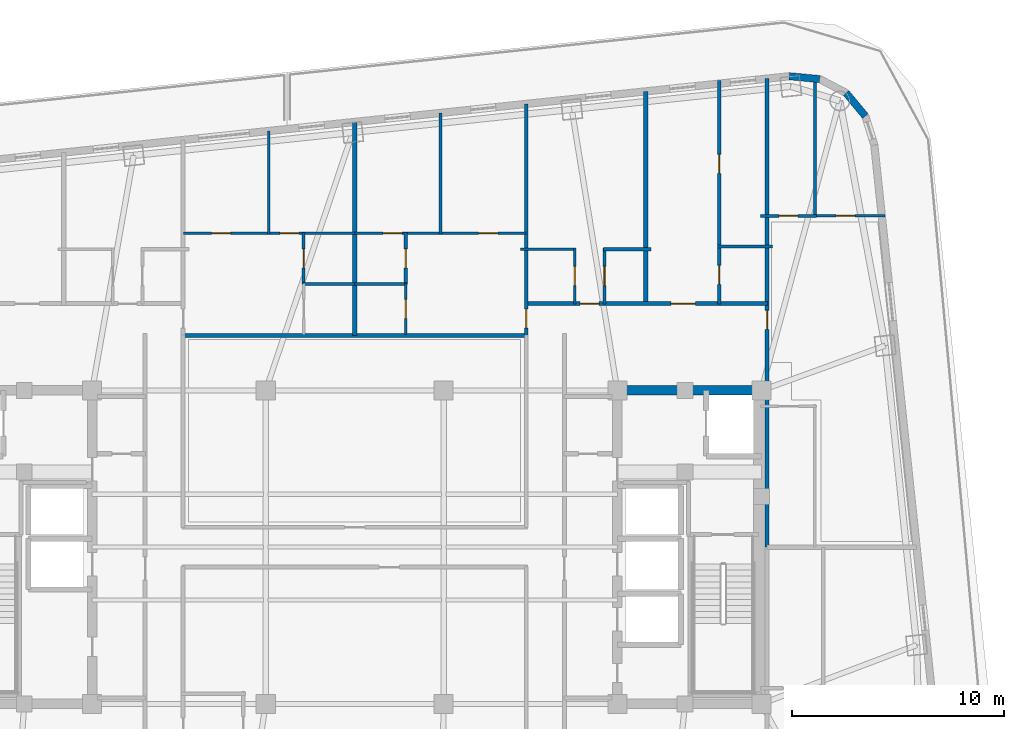
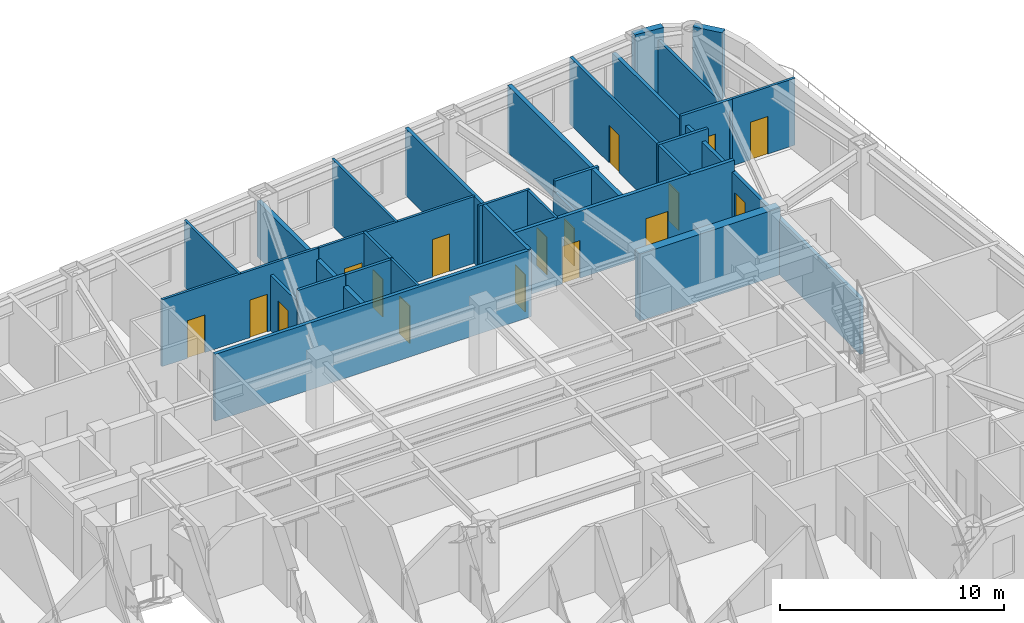
# One storey, part 9 of 15: 28 walls, 17 doors, 17 openings.
"""IFC4 building model written with IfcOpenShell, lengths in metres."""

from ifc_helpers import new_model, si_unit, direction, frame, frame_2d, origin, place, context, subcontext, project, spatial, rectangle, extrude, material, layer, layer_set, type_object, element, fill, save


model = new_model("IFC4")

# Units and contexts
model_context = context("Model", 3, precision=1e-05, world=origin(), true_north=direction((0.0, 1.0)))
body_context = subcontext(model_context, "Body", "Model", "MODEL_VIEW")
ifc_project = project(units=[si_unit("LENGTHUNIT", "METRE"), si_unit("AREAUNIT", "SQUARE_METRE"), si_unit("VOLUMEUNIT", "CUBIC_METRE"), si_unit("PLANEANGLEUNIT", "RADIAN"), si_unit("MASSUNIT", "GRAM", prefix="KILO")], contexts=[model_context])

# Site, building, storey
site_placement = place(None, origin())
site = spatial("IfcSite", under=ifc_project, at=site_placement, CompositionType="ELEMENT")
building_placement = place(site_placement, origin())
building = spatial("IfcBuilding", under=site, at=building_placement, Name="Voryun Gate Residences", CompositionType="ELEMENT")
storey_placement = place(building_placement, frame((0.0, 0.0, 171.60009765625)))
storey = spatial("IfcBuildingStorey", under=building, at=storey_placement, Name="L42", CompositionType="ELEMENT", Elevation=171.60009765625)

# Walls
ifc_material_1 = material(Name="Concrete C50/60", Category="concrete")
ifc_layer_1 = layer(ifc_material_1, 0.449951171875, Name="CW_CORE_450")
ifc_layer_set_1 = layer_set([ifc_layer_1], Name="Concrete C50/60")
wall_type_1 = type_object("IfcWallType", Name="CW_CORE_450", PredefinedType="SHEAR", material=ifc_layer_set_1)
wall_1_placement = place(storey_placement, frame((12.175048828125, 7.39990234375, 0.0), z_axis=(0.0, 0.0, 1.0), x_axis=(1.0, 0.0, 0.0)))
element("IfcWall", 1, at=wall_1_placement, inside=storey, type_object=wall_type_1, Name="L42 Core shear wall CW-L42-EN", PredefinedType="SHEAR", context=body_context, shape_type="SweptSolid", body=[
    extrude(rectangle(XDim=7.25, YDim=0.449951171875, at=frame_2d((3.625, 0.0))), origin(), (0.0, 0.0, 1.0), 3.64990234375),
])
ifc_material_2 = material(Name="Gypsum acoustic fireboard")
ifc_layer_2 = layer(ifc_material_2, 0.179931640625, Name="W_CORR_RATED_180")
ifc_layer_set_2 = layer_set([ifc_layer_2], Name="Gypsum acoustic fireboard")
wall_type_2 = type_object("IfcWallType", Name="W_CORR_RATED_180", PredefinedType="PARTITIONING", material=ifc_layer_set_2)
wall_2_placement = place(storey_placement, frame((-8.14990234375, 9.989990234375, 0.0), z_axis=(0.0, 0.0, 1.0), x_axis=(1.0, 0.0, 0.0)))
element("IfcWall", 2, at=wall_2_placement, inside=storey, type_object=wall_type_2, Name="Partition wall WP-L42-Z2N", PredefinedType="PARTITIONING", context=body_context, shape_type="SweptSolid", body=[
    extrude(rectangle(XDim=16.2998046875, YDim=0.179931640625, at=frame_2d((8.14990234375, 0.0))), origin(), (0.0, 0.0, 1.0), 3.64990234375),
])

# Wall, openings, doors
wall_3_placement = place(storey_placement, frame((8.080078125, 11.5, 0.0), z_axis=(0.0, 0.0, 1.0), x_axis=(1.0, 0.0, 0.0)))
wall_3 = element("IfcWall", 3, at=wall_3_placement, inside=storey, type_object=wall_type_2, Name="Partition wall WP-L42-NCORR-E", PredefinedType="PARTITIONING", context=body_context, shape_type="SweptSolid", body=[
    extrude(rectangle(XDim=11.419921875, YDim=0.179931640625, at=frame_2d((5.7099609375, 0.0))), origin(), (0.0, 0.0, 1.0), 3.64990234375),
])
opening_1_placement = place(wall_3_placement, frame((2.5625, 0.0, 0.0)))
opening_1 = element("IfcOpeningElement", 4, at=opening_1_placement, cuts=wall_3, Name="Opening D-INT-2", PredefinedType="OPENING", context=body_context, shape_type="SweptSolid", body=[
    extrude(rectangle(XDim=0.89990234375, YDim=2.050048828125, at=frame_2d((0.449951171875, 1.02490234375))), frame((0.0, 0.099853515625, 0.0), z_axis=(0.0, -1.0, 0.0), x_axis=(1.0, 0.0, 0.0)), (0.0, 0.0, 1.0), 0.199951171875),
])
opening_2_placement = place(wall_3_placement, frame((6.8525390625, 0.0, 0.0)))
opening_2 = element("IfcOpeningElement", 5, at=opening_2_placement, cuts=wall_3, Name="Opening D-UNIT-1", PredefinedType="OPENING", context=body_context, shape_type="SweptSolid", body=[
    extrude(rectangle(XDim=1.14990234375, YDim=2.050048828125, at=frame_2d((0.574951171875, 1.02490234375))), frame((0.0, 0.099853515625, 0.0), z_axis=(0.0, -1.0, 0.0), x_axis=(1.0, 0.0, 0.0)), (0.0, 0.0, 1.0), 0.199951171875),
])
ifc_material_3 = material(Name="Architectural oak veneer")
door_type_1 = type_object("IfcDoorType", Name="DR_INT_BATH_900", OperationType="NOTDEFINED", PredefinedType="DOOR", material=ifc_material_3)
door_1_placement = place(opening_1_placement, origin())
door_1 = element("IfcDoor", 6, at=door_1_placement, inside=storey, type_object=door_type_1, Name="Door DR-L42-NENT-4", OperationType="SINGLE_SWING_RIGHT", OverallHeight=2.050048828125, OverallWidth=0.89990234375, PredefinedType="DOOR", context=body_context, shape_type="SweptSolid", body=[
    extrude(rectangle(XDim=0.89990234375, YDim=2.050048828125, at=frame_2d((0.449951171875, 1.02490234375))), frame((0.0, 0.02490234375, 0.0), z_axis=(0.0, -1.0, 0.0), x_axis=(1.0, 0.0, 0.0)), (0.0, 0.0, 1.0), 0.050048828125),
])
fill(opening_1, door_1)
ifc_material_4 = material(Name="Armoured timber-clad fire door", Category="wood")
door_type_2 = type_object("IfcDoorType", Name="DR_UNIT_ENTRY_1150", OperationType="NOTDEFINED", PredefinedType="DOOR", material=ifc_material_4)
door_2_placement = place(opening_2_placement, origin())
door_2 = element("IfcDoor", 7, at=door_2_placement, inside=storey, type_object=door_type_2, Name="Door DR-L42-NENT-5", OperationType="SINGLE_SWING_LEFT", OverallHeight=2.050048828125, OverallWidth=1.14990234375, PredefinedType="DOOR", context=body_context, shape_type="SweptSolid", body=[
    extrude(rectangle(XDim=1.14990234375, YDim=2.050048828125, at=frame_2d((0.574951171875, 1.02490234375))), frame((0.0, 0.02490234375, 0.0), z_axis=(0.0, -1.0, 0.0), x_axis=(1.0, 0.0, 0.0)), (0.0, 0.0, 1.0), 0.050048828125),
])
fill(opening_2, door_2)

# Wall, opening, door
wall_4_placement = place(storey_placement, frame((8.10009765625, 9.989990234375, 0.0), z_axis=(0.0, 0.0, 1.0), x_axis=(0.0, 1.0, 0.0)))
wall_4 = element("IfcWall", 8, at=wall_4_placement, inside=storey, type_object=wall_type_2, Name="Partition wall WP-L42-NZV-2", PredefinedType="PARTITIONING", context=body_context, shape_type="SweptSolid", body=[
    extrude(rectangle(XDim=10.939208984375, YDim=0.179931640625, at=frame_2d((5.4697265625, 0.0))), origin(), (0.0, 0.0, 1.0), 3.64990234375),
])
opening_3_placement = place(wall_4_placement, frame((0.349609375, 0.0, 0.0)))
opening_3 = element("IfcOpeningElement", 9, at=opening_3_placement, cuts=wall_4, Name="Opening D-INT-2", PredefinedType="OPENING", context=body_context, shape_type="SweptSolid", body=[
    extrude(rectangle(XDim=0.89990234375, YDim=2.050048828125, at=frame_2d((0.449951171875, 1.02490234375))), frame((0.0, 0.099853515625, 0.0), z_axis=(0.0, -1.0, 0.0), x_axis=(1.0, 0.0, 0.0)), (0.0, 0.0, 1.0), 0.199951171875),
])
door_3_placement = place(opening_3_placement, origin())
door_3 = element("IfcDoor", 10, at=door_3_placement, inside=storey, type_object=door_type_1, Name="Door DR-L42-NZENT-2", OperationType="SINGLE_SWING_RIGHT", OverallHeight=2.050048828125, OverallWidth=0.89990234375, PredefinedType="DOOR", context=body_context, shape_type="SweptSolid", body=[
    extrude(rectangle(XDim=0.89990234375, YDim=2.050048828125, at=frame_2d((0.449951171875, 1.02490234375))), frame((0.0, 0.02490234375, 0.0), z_axis=(0.0, -1.0, 0.0), x_axis=(1.0, 0.0, 0.0)), (0.0, 0.0, 1.0), 0.050048828125),
])
fill(opening_3, door_3)

wall_5_placement = place(storey_placement, frame((19.469970703125, 0.0, 0.0), z_axis=(0.0, 0.0, 1.0), x_axis=(0.0, 1.0, 0.0)))
wall_5 = element("IfcWall", 11, at=wall_5_placement, inside=storey, type_object=wall_type_2, Name="Partition wall WP-L42-ECOR2", PredefinedType="PARTITIONING", context=body_context, shape_type="SweptSolid", body=[
    extrude(rectangle(XDim=22.1240234375, YDim=0.179931640625, at=frame_2d((11.06201171875, 0.0))), origin(), (0.0, 0.0, 1.0), 3.039794921875),
])
opening_4_placement = place(wall_5_placement, frame((10.2802734375, 0.0, 0.0)))
opening_4 = element("IfcOpeningElement", 12, at=opening_4_placement, cuts=wall_5, Name="Opening D-INT-2", PredefinedType="OPENING", context=body_context, shape_type="SweptSolid", body=[
    extrude(rectangle(XDim=0.89990234375, YDim=2.050048828125, at=frame_2d((0.449951171875, 1.02490234375))), frame((0.0, 0.099853515625, 0.0), z_axis=(0.0, -1.0, 0.0), x_axis=(1.0, 0.0, 0.0)), (0.0, 0.0, 1.0), 0.199951171875),
])
door_4_placement = place(opening_4_placement, origin())
door_4 = element("IfcDoor", 13, at=door_4_placement, inside=storey, type_object=door_type_1, Name="Door DR-L42-EE2", OperationType="SINGLE_SWING_RIGHT", OverallHeight=2.050048828125, OverallWidth=0.89990234375, PredefinedType="DOOR", context=body_context, shape_type="SweptSolid", body=[
    extrude(rectangle(XDim=0.89990234375, YDim=2.050048828125, at=frame_2d((0.449951171875, 1.02490234375))), frame((0.0, 0.02490234375, 0.0), z_axis=(0.0, -1.0, 0.0), x_axis=(1.0, 0.0, 0.0)), (0.0, 0.0, 1.0), 0.050048828125),
])
fill(opening_4, door_4)

# Walls
ifc_material_5 = material(Name="Charcoal terracotta masonry", Category="masonry")
ifc_layer_3 = layer(ifc_material_5, 0.340087890625, Name="W_EXT_TERRACOTTA_340")
ifc_layer_set_3 = layer_set([ifc_layer_3], Name="Charcoal terracotta masonry")
wall_type_3 = type_object("IfcWallType", Name="W_EXT_TERRACOTTA_340", PredefinedType="ELEMENTEDWALL", material=ifc_layer_set_3)
wall_6_placement = place(storey_placement, frame((20.5263671875, 22.235107421875, 0.0), z_axis=(0.0, 0.0, 1.0), x_axis=(0.995800460351, -0.091550222087, 0.0)))
element("IfcWall", 14, at=wall_6_placement, inside=storey, type_object=wall_type_3, Name="Exterior wall WEXT-L42-12", PredefinedType="ELEMENTEDWALL", context=body_context, shape_type="SweptSolid", body=[
    extrude(rectangle(XDim=1.43212890625, YDim=0.340087890625, at=frame_2d((0.716064453125, 0.0))), origin(), (0.0, 0.0, 1.0), 3.64990234375),
])
wall_7_placement = place(storey_placement, frame((23.20458984375, 21.4453125, 0.0), z_axis=(0.0, 0.0, 1.0), x_axis=(0.639539337522, -0.768758372808, 0.0)))
element("IfcWall", 15, at=wall_7_placement, inside=storey, type_object=wall_type_3, Name="Exterior wall WEXT-L42-14", PredefinedType="ELEMENTEDWALL", context=body_context, shape_type="SweptSolid", body=[
    extrude(rectangle(XDim=1.4150390625, YDim=0.340087890625, at=frame_2d((0.70751953125, 0.0))), origin(), (0.0, 0.0, 1.0), 3.64990234375),
])
ifc_material_6 = material(Name="Concrete C40/50", Category="concrete")
ifc_layer_4 = layer(ifc_material_6, 0.219970703125, Name="W_PARTY_ACOUSTIC_220")
ifc_layer_set_4 = layer_set([ifc_layer_4], Name="Concrete C40/50")
wall_type_4 = type_object("IfcWallType", Name="W_PARTY_ACOUSTIC_220", PredefinedType="PARTITIONING", material=ifc_layer_set_4)
wall_8_placement = place(storey_placement, frame((13.739990234375, 11.419921875, 0.0), z_axis=(0.0, 0.0, 1.0), x_axis=(0.0, 1.0, 0.0)))
element("IfcWall", 16, at=wall_8_placement, inside=storey, type_object=wall_type_4, Name="Partition wall WP-L42-NPTY-4", PredefinedType="PARTITIONING", context=body_context, shape_type="SweptSolid", body=[
    extrude(rectangle(XDim=10.10205078125, YDim=0.219970703125, at=frame_2d((5.051025390625, 0.0))), origin(), (0.0, 0.0, 1.0), 3.64990234375),
])
wall_9_placement = place(storey_placement, frame((0.0, 9.989990234375, 0.0), z_axis=(0.0, 0.0, 1.0), x_axis=(0.0, 1.0, 0.0)))
element("IfcWall", 17, at=wall_9_placement, inside=storey, type_object=wall_type_4, Name="Partition wall WP-L42-NZMID", PredefinedType="PARTITIONING", context=body_context, shape_type="SweptSolid", body=[
    extrude(rectangle(XDim=10.087890625, YDim=0.219970703125, at=frame_2d((5.0439453125, 0.0))), origin(), (0.0, 0.0, 1.0), 3.039794921875),
])

# Wall, opening, door
ifc_material_7 = material(Name="Gypsum acoustic partition")
ifc_layer_5 = layer(ifc_material_7, 0.125, Name="W_UNIT_PART_125")
ifc_layer_set_5 = layer_set([ifc_layer_5], Name="Gypsum acoustic partition")
wall_type_5 = type_object("IfcWallType", Name="W_UNIT_PART_125", PredefinedType="PARTITIONING", material=ifc_layer_set_5)
wall_10_placement = place(storey_placement, frame((10.389892578125, 11.47998046875, 0.0), z_axis=(0.0, 0.0, 1.0), x_axis=(0.0, 1.0, 0.0)))
wall_10 = element("IfcWall", 18, at=wall_10_placement, inside=storey, type_object=wall_type_5, Name="Partition wall WP-L42-N4-CVK", PredefinedType="PARTITIONING", context=body_context, shape_type="SweptSolid", body=[
    extrude(rectangle(XDim=2.64990234375, YDim=0.125, at=frame_2d((1.324951171875, 0.0))), origin(), (0.0, 0.0, 1.0), 3.64990234375),
])
opening_5_placement = place(wall_10_placement, frame((0.875, 0.0, 0.0)))
opening_5 = element("IfcOpeningElement", 19, at=opening_5_placement, cuts=wall_10, Name="Opening D-INT-2", PredefinedType="OPENING", context=body_context, shape_type="SweptSolid", body=[
    extrude(rectangle(XDim=0.89990234375, YDim=2.050048828125, at=frame_2d((0.449951171875, 1.02490234375))), frame((0.0, 0.072509765625, 0.0), z_axis=(0.0, -1.0, 0.0), x_axis=(1.0, 0.0, 0.0)), (0.0, 0.0, 1.0), 0.14501953125),
])
door_5_placement = place(opening_5_placement, origin())
door_5 = element("IfcDoor", 20, at=door_5_placement, inside=storey, type_object=door_type_1, Name="Door DR-L42-N4-DK", OperationType="SINGLE_SWING_LEFT", OverallHeight=2.050048828125, OverallWidth=0.89990234375, PredefinedType="DOOR", context=body_context, shape_type="SweptSolid", body=[
    extrude(rectangle(XDim=0.89990234375, YDim=2.050048828125, at=frame_2d((0.449951171875, 1.02490234375))), frame((0.0, 0.02490234375, 0.0), z_axis=(0.0, -1.0, 0.0), x_axis=(1.0, 0.0, 0.0)), (0.0, 0.0, 1.0), 0.050048828125),
])
fill(opening_5, door_5)

# Wall
wall_11_placement = place(storey_placement, frame((7.820068359375, 14.070068359375, 0.0), z_axis=(0.0, 0.0, 1.0), x_axis=(1.0, 0.0, 0.0)))
element("IfcWall", 21, at=wall_11_placement, inside=storey, type_object=wall_type_5, Name="Partition wall WP-L42-N4-CHK", PredefinedType="PARTITIONING", context=body_context, shape_type="SweptSolid", body=[
    extrude(rectangle(XDim=2.6298828125, YDim=0.125, at=frame_2d((1.31494140625, 0.0))), origin(), (0.0, 0.0, 1.0), 3.64990234375),
])

# Wall, openings, doors
wall_12_placement = place(storey_placement, frame((-8.080078125, 14.830078125, 0.0), z_axis=(0.0, 0.0, 1.0), x_axis=(1.0, 0.0, 0.0)))
wall_12 = element("IfcWall", 22, at=wall_12_placement, inside=storey, type_object=wall_type_5, Name="Partition wall WP-L42-NC1-HZ", PredefinedType="PARTITIONING", context=body_context, shape_type="SweptSolid", body=[
    extrude(rectangle(XDim=8.06005859375, YDim=0.125, at=frame_2d((4.030029296875, 0.0))), origin(), (0.0, 0.0, 1.0), 3.64990234375),
])
opening_6_placement = place(wall_12_placement, frame((1.3232421875, 0.0, 0.0)))
opening_6 = element("IfcOpeningElement", 23, at=opening_6_placement, cuts=wall_12, Name="Opening D-INT-2", PredefinedType="OPENING", context=body_context, shape_type="SweptSolid", body=[
    extrude(rectangle(XDim=0.89990234375, YDim=2.050048828125, at=frame_2d((0.449951171875, 1.02490234375))), frame((0.0, 0.072509765625, 0.0), z_axis=(0.0, -1.0, 0.0), x_axis=(1.0, 0.0, 0.0)), (0.0, 0.0, 1.0), 0.14501953125),
])
opening_7_placement = place(wall_12_placement, frame((4.547119140625, 0.0, 0.0)))
opening_7 = element("IfcOpeningElement", 24, at=opening_7_placement, cuts=wall_12, Name="Opening D-INT-2", PredefinedType="OPENING", context=body_context, shape_type="SweptSolid", body=[
    extrude(rectangle(XDim=0.89990234375, YDim=2.050048828125, at=frame_2d((0.449951171875, 1.02490234375))), frame((0.0, 0.072509765625, 0.0), z_axis=(0.0, -1.0, 0.0), x_axis=(1.0, 0.0, 0.0)), (0.0, 0.0, 1.0), 0.14501953125),
])
door_6_placement = place(opening_6_placement, origin())
door_6 = element("IfcDoor", 25, at=door_6_placement, inside=storey, type_object=door_type_1, Name="Door DR-L42-NC1-DMB", OperationType="SINGLE_SWING_LEFT", OverallHeight=2.050048828125, OverallWidth=0.89990234375, PredefinedType="DOOR", context=body_context, shape_type="SweptSolid", body=[
    extrude(rectangle(XDim=0.89990234375, YDim=2.050048828125, at=frame_2d((0.449951171875, 1.02490234375))), frame((0.0, 0.02490234375, 0.0), z_axis=(0.0, -1.0, 0.0), x_axis=(1.0, 0.0, 0.0)), (0.0, 0.0, 1.0), 0.050048828125),
])
fill(opening_6, door_6)
door_7_placement = place(opening_7_placement, origin())
door_7 = element("IfcDoor", 26, at=door_7_placement, inside=storey, type_object=door_type_1, Name="Door DR-L42-NC1-DBD2", OperationType="SINGLE_SWING_RIGHT", OverallHeight=2.050048828125, OverallWidth=0.89990234375, PredefinedType="DOOR", context=body_context, shape_type="SweptSolid", body=[
    extrude(rectangle(XDim=0.89990234375, YDim=2.050048828125, at=frame_2d((0.449951171875, 1.02490234375))), frame((0.0, 0.02490234375, 0.0), z_axis=(0.0, -1.0, 0.0), x_axis=(1.0, 0.0, 0.0)), (0.0, 0.0, 1.0), 0.050048828125),
])
fill(opening_7, door_7)

# Wall
wall_13_placement = place(storey_placement, frame((-4.050048828125, 14.7900390625, 0.0), z_axis=(0.0, 0.0, 1.0), x_axis=(0.0, 1.0, 0.0)))
element("IfcWall", 27, at=wall_13_placement, inside=storey, type_object=wall_type_5, Name="Partition wall WP-L42-NC1-VBD", PredefinedType="PARTITIONING", context=body_context, shape_type="SweptSolid", body=[
    extrude(rectangle(XDim=4.862060546875, YDim=0.125, at=frame_2d((2.43115234375, 0.0))), origin(), (0.0, 0.0, 1.0), 3.64990234375),
])

# Wall, openings, doors
wall_14_placement = place(storey_placement, frame((0.02001953125, 14.830078125, 0.0), z_axis=(0.0, 0.0, 1.0), x_axis=(1.0, 0.0, 0.0)))
wall_14 = element("IfcWall", 28, at=wall_14_placement, inside=storey, type_object=wall_type_5, Name="Partition wall WP-L42-NC2-HZ", PredefinedType="PARTITIONING", context=body_context, shape_type="SweptSolid", body=[
    extrude(rectangle(XDim=8.06005859375, YDim=0.125, at=frame_2d((4.030029296875, 0.0))), origin(), (0.0, 0.0, 1.0), 3.64990234375),
])
opening_8_placement = place(wall_14_placement, frame((1.3232421875, 0.0, 0.0)))
opening_8 = element("IfcOpeningElement", 29, at=opening_8_placement, cuts=wall_14, Name="Opening D-INT-2", PredefinedType="OPENING", context=body_context, shape_type="SweptSolid", body=[
    extrude(rectangle(XDim=0.89990234375, YDim=2.050048828125, at=frame_2d((0.449951171875, 1.02490234375))), frame((0.0, 0.072509765625, 0.0), z_axis=(0.0, -1.0, 0.0), x_axis=(1.0, 0.0, 0.0)), (0.0, 0.0, 1.0), 0.14501953125),
])
opening_9_placement = place(wall_14_placement, frame((5.8369140625, 0.0, 0.0)))
opening_9 = element("IfcOpeningElement", 30, at=opening_9_placement, cuts=wall_14, Name="Opening D-INT-2", PredefinedType="OPENING", context=body_context, shape_type="SweptSolid", body=[
    extrude(rectangle(XDim=0.89990234375, YDim=2.050048828125, at=frame_2d((0.449951171875, 1.02490234375))), frame((0.0, 0.072509765625, 0.0), z_axis=(0.0, -1.0, 0.0), x_axis=(1.0, 0.0, 0.0)), (0.0, 0.0, 1.0), 0.14501953125),
])
door_8_placement = place(opening_8_placement, origin())
door_8 = element("IfcDoor", 31, at=door_8_placement, inside=storey, type_object=door_type_1, Name="Door DR-L42-NC2-DMB", OperationType="SINGLE_SWING_LEFT", OverallHeight=2.050048828125, OverallWidth=0.89990234375, PredefinedType="DOOR", context=body_context, shape_type="SweptSolid", body=[
    extrude(rectangle(XDim=0.89990234375, YDim=2.050048828125, at=frame_2d((0.449951171875, 1.02490234375))), frame((0.0, 0.02490234375, 0.0), z_axis=(0.0, -1.0, 0.0), x_axis=(1.0, 0.0, 0.0)), (0.0, 0.0, 1.0), 0.050048828125),
])
fill(opening_8, door_8)
door_9_placement = place(opening_9_placement, origin())
door_9 = element("IfcDoor", 32, at=door_9_placement, inside=storey, type_object=door_type_1, Name="Door DR-L42-NC2-DBD2", OperationType="SINGLE_SWING_RIGHT", OverallHeight=2.050048828125, OverallWidth=0.89990234375, PredefinedType="DOOR", context=body_context, shape_type="SweptSolid", body=[
    extrude(rectangle(XDim=0.89990234375, YDim=2.050048828125, at=frame_2d((0.449951171875, 1.02490234375))), frame((0.0, 0.02490234375, 0.0), z_axis=(0.0, -1.0, 0.0), x_axis=(1.0, 0.0, 0.0)), (0.0, 0.0, 1.0), 0.050048828125),
])
fill(opening_9, door_9)

# Wall, opening, door
wall_15_placement = place(storey_placement, frame((2.409912109375, 10.050048828125, 0.0), z_axis=(0.0, 0.0, 1.0), x_axis=(0.0, 1.0, 0.0)))
wall_15 = element("IfcWall", 33, at=wall_15_placement, inside=storey, type_object=wall_type_5, Name="Partition wall WP-L42-NC2-VK1", PredefinedType="PARTITIONING", context=body_context, shape_type="SweptSolid", body=[
    extrude(rectangle(XDim=2.409912109375, YDim=0.125, at=frame_2d((1.205078125, 0.0))), origin(), (0.0, 0.0, 1.0), 3.64990234375),
])
opening_10_placement = place(wall_15_placement, frame((0.7548828125, 0.0, 0.0)))
opening_10 = element("IfcOpeningElement", 34, at=opening_10_placement, cuts=wall_15, Name="Opening D-INT-2", PredefinedType="OPENING", context=body_context, shape_type="SweptSolid", body=[
    extrude(rectangle(XDim=0.89990234375, YDim=2.050048828125, at=frame_2d((0.449951171875, 1.02490234375))), frame((0.0, 0.072509765625, 0.0), z_axis=(0.0, -1.0, 0.0), x_axis=(1.0, 0.0, 0.0)), (0.0, 0.0, 1.0), 0.14501953125),
])
door_10_placement = place(opening_10_placement, origin())
door_10 = element("IfcDoor", 35, at=door_10_placement, inside=storey, type_object=door_type_1, Name="Door DR-L42-NC2-DK", OperationType="SINGLE_SWING_LEFT", OverallHeight=2.050048828125, OverallWidth=0.89990234375, PredefinedType="DOOR", context=body_context, shape_type="SweptSolid", body=[
    extrude(rectangle(XDim=0.89990234375, YDim=2.050048828125, at=frame_2d((0.449951171875, 1.02490234375))), frame((0.0, 0.02490234375, 0.0), z_axis=(0.0, -1.0, 0.0), x_axis=(1.0, 0.0, 0.0)), (0.0, 0.0, 1.0), 0.050048828125),
])
fill(opening_10, door_10)

# Wall
wall_16_placement = place(storey_placement, frame((4.050048828125, 14.7900390625, 0.0), z_axis=(0.0, 0.0, 1.0), x_axis=(0.0, 1.0, 0.0)))
element("IfcWall", 36, at=wall_16_placement, inside=storey, type_object=wall_type_5, Name="Partition wall WP-L42-NC2-VBD", PredefinedType="PARTITIONING", context=body_context, shape_type="SweptSolid", body=[
    extrude(rectangle(XDim=5.71337890625, YDim=0.125, at=frame_2d((2.856689453125, 0.0))), origin(), (0.0, 0.0, 1.0), 3.64990234375),
])

# Wall, opening, door
wall_17_placement = place(storey_placement, frame((21.6689453125, 15.64208984375, 0.0), z_axis=(0.0, 0.0, 1.0), x_axis=(1.0, 0.0, 0.0)))
wall_17 = element("IfcWall", 37, at=wall_17_placement, inside=storey, type_object=wall_type_5, Name="Partition wall WP-L42-E2-OHZ", PredefinedType="PARTITIONING", context=body_context, shape_type="SweptSolid", body=[
    extrude(rectangle(XDim=3.367919921875, YDim=0.125, at=frame_2d((1.68408203125, 0.0))), origin(), (0.0, 0.0, 1.0), 3.64990234375),
])
opening_11_placement = place(wall_17_placement, frame((1.065673828125, 0.0, 0.0)))
opening_11 = element("IfcOpeningElement", 38, at=opening_11_placement, cuts=wall_17, Name="Opening D-INT-2", PredefinedType="OPENING", context=body_context, shape_type="SweptSolid", body=[
    extrude(rectangle(XDim=0.89990234375, YDim=2.050048828125, at=frame_2d((0.449951171875, 1.02490234375))), frame((0.0, 0.072509765625, 0.0), z_axis=(0.0, -1.0, 0.0), x_axis=(1.0, 0.0, 0.0)), (0.0, 0.0, 1.0), 0.14501953125),
])
door_11_placement = place(opening_11_placement, origin())
door_11 = element("IfcDoor", 39, at=door_11_placement, inside=storey, type_object=door_type_1, Name="Door DR-L42-E2-DMB", OperationType="SINGLE_SWING_LEFT", OverallHeight=2.050048828125, OverallWidth=0.89990234375, PredefinedType="DOOR", context=body_context, shape_type="SweptSolid", body=[
    extrude(rectangle(XDim=0.89990234375, YDim=2.050048828125, at=frame_2d((0.449951171875, 1.02490234375))), frame((0.0, 0.02490234375, 0.0), z_axis=(0.0, -1.0, 0.0), x_axis=(1.0, 0.0, 0.0)), (0.0, 0.0, 1.0), 0.050048828125),
])
fill(opening_11, door_11)

ifc_material_8 = material(Name="Gypsum moisture-resistant partition")
ifc_layer_6 = layer(ifc_material_8, 0.14990234375, Name="W_WET_PLUMB_150")
ifc_layer_set_6 = layer_set([ifc_layer_6], Name="Gypsum moisture-resistant partition")
wall_type_6 = type_object("IfcWallType", Name="W_WET_PLUMB_150", PredefinedType="PLUMBINGWALL", material=ifc_layer_set_6)
wall_18_placement = place(storey_placement, frame((11.7958984375, 11.47998046875, 0.0), z_axis=(0.0, 0.0, 1.0), x_axis=(0.0, 1.0, 0.0)))
wall_18 = element("IfcWall", 40, at=wall_18_placement, inside=storey, type_object=wall_type_6, Name="Partition wall WP-L42-N4-CVB", PredefinedType="PLUMBINGWALL", context=body_context, shape_type="SweptSolid", body=[
    extrude(rectangle(XDim=2.64990234375, YDim=0.14990234375, at=frame_2d((1.324951171875, 0.0))), origin(), (0.0, 0.0, 1.0), 3.039794921875),
])
opening_12_placement = place(wall_18_placement, frame((0.875, 0.0, 0.0)))
opening_12 = element("IfcOpeningElement", 41, at=opening_12_placement, cuts=wall_18, Name="Opening D-INT-2", PredefinedType="OPENING", context=body_context, shape_type="SweptSolid", body=[
    extrude(rectangle(XDim=0.89990234375, YDim=2.050048828125, at=frame_2d((0.449951171875, 1.02490234375))), frame((0.0, 0.0849609375, 0.0), z_axis=(0.0, -1.0, 0.0), x_axis=(1.0, 0.0, 0.0)), (0.0, 0.0, 1.0), 0.169921875),
])
door_12_placement = place(opening_12_placement, origin())
door_12 = element("IfcDoor", 42, at=door_12_placement, inside=storey, type_object=door_type_1, Name="Door DR-L42-N4-DB", OperationType="SINGLE_SWING_RIGHT", OverallHeight=2.050048828125, OverallWidth=0.89990234375, PredefinedType="DOOR", context=body_context, shape_type="SweptSolid", body=[
    extrude(rectangle(XDim=0.89990234375, YDim=2.050048828125, at=frame_2d((0.449951171875, 1.02490234375))), frame((0.0, 0.02490234375, 0.0), z_axis=(0.0, -1.0, 0.0), x_axis=(1.0, 0.0, 0.0)), (0.0, 0.0, 1.0), 0.050048828125),
])
fill(opening_12, door_12)

# Walls
wall_19_placement = place(storey_placement, frame((11.736083984375, 14.070068359375, 0.0), z_axis=(0.0, 0.0, 1.0), x_axis=(1.0, 0.0, 0.0)))
element("IfcWall", 43, at=wall_19_placement, inside=storey, type_object=wall_type_6, Name="Partition wall WP-L42-N4-CHB", PredefinedType="PLUMBINGWALL", context=body_context, shape_type="SweptSolid", body=[
    extrude(rectangle(XDim=2.263916015625, YDim=0.14990234375, at=frame_2d((1.1318359375, 0.0))), origin(), (0.0, 0.0, 1.0), 3.64990234375),
])
wall_20_placement = place(storey_placement, frame((17.135986328125, 14.199951171875, 0.0), z_axis=(0.0, 0.0, 1.0), x_axis=(1.0, 0.0, 0.0)))
element("IfcWall", 44, at=wall_20_placement, inside=storey, type_object=wall_type_6, Name="Partition wall WP-L42-N5-SKB", PredefinedType="PLUMBINGWALL", context=body_context, shape_type="SweptSolid", body=[
    extrude(rectangle(XDim=2.583984375, YDim=0.14990234375, at=frame_2d((1.2919921875, 0.0))), origin(), (0.0, 0.0, 1.0), 3.64990234375),
])

# Wall, opening, door
wall_21_placement = place(storey_placement, frame((17.216064453125, 11.47998046875, 0.0), z_axis=(0.0, 0.0, 1.0), x_axis=(0.0, 1.0, 0.0)))
wall_21 = element("IfcWall", 45, at=wall_21_placement, inside=storey, type_object=wall_type_6, Name="Partition wall WP-L42-N5-SVT1", PredefinedType="PLUMBINGWALL", context=body_context, shape_type="SweptSolid", body=[
    extrude(rectangle(XDim=2.760009765625, YDim=0.14990234375, at=frame_2d((1.3798828125, 0.0))), origin(), (0.0, 0.0, 1.0), 3.64990234375),
])
opening_13_placement = place(wall_21_placement, frame((0.929931640625, 0.0, 0.0)))
opening_13 = element("IfcOpeningElement", 46, at=opening_13_placement, cuts=wall_21, Name="Opening D-INT-2", PredefinedType="OPENING", context=body_context, shape_type="SweptSolid", body=[
    extrude(rectangle(XDim=0.89990234375, YDim=2.050048828125, at=frame_2d((0.449951171875, 1.02490234375))), frame((0.0, 0.0849609375, 0.0), z_axis=(0.0, -1.0, 0.0), x_axis=(1.0, 0.0, 0.0)), (0.0, 0.0, 1.0), 0.169921875),
])
door_13_placement = place(opening_13_placement, origin())
door_13 = element("IfcDoor", 47, at=door_13_placement, inside=storey, type_object=door_type_1, Name="Door DR-L42-N5-DB", OperationType="SINGLE_SWING_LEFT", OverallHeight=2.050048828125, OverallWidth=0.89990234375, PredefinedType="DOOR", context=body_context, shape_type="SweptSolid", body=[
    extrude(rectangle(XDim=0.89990234375, YDim=2.050048828125, at=frame_2d((0.449951171875, 1.02490234375))), frame((0.0, 0.02490234375, 0.0), z_axis=(0.0, -1.0, 0.0), x_axis=(1.0, 0.0, 0.0)), (0.0, 0.0, 1.0), 0.050048828125),
])
fill(opening_13, door_13)

wall_22_placement = place(storey_placement, frame((17.216064453125, 14.159912109375, 0.0), z_axis=(0.0, 0.0, 1.0), x_axis=(0.0, 1.0, 0.0)))
wall_22 = element("IfcWall", 48, at=wall_22_placement, inside=storey, type_object=wall_type_6, Name="Partition wall WP-L42-N5-SVT2", PredefinedType="PLUMBINGWALL", context=body_context, shape_type="SweptSolid", body=[
    extrude(rectangle(XDim=7.878173828125, YDim=0.14990234375, at=frame_2d((3.93896484375, 0.0))), origin(), (0.0, 0.0, 1.0), 3.64990234375),
])
opening_14_placement = place(wall_22_placement, frame((3.489013671875, 0.0, 0.0)))
opening_14 = element("IfcOpeningElement", 49, at=opening_14_placement, cuts=wall_22, Name="Opening D-INT-2", PredefinedType="OPENING", context=body_context, shape_type="SweptSolid", body=[
    extrude(rectangle(XDim=0.89990234375, YDim=2.050048828125, at=frame_2d((0.449951171875, 1.02490234375))), frame((0.0, 0.0849609375, 0.0), z_axis=(0.0, -1.0, 0.0), x_axis=(1.0, 0.0, 0.0)), (0.0, 0.0, 1.0), 0.169921875),
])
door_14_placement = place(opening_14_placement, origin())
door_14 = element("IfcDoor", 50, at=door_14_placement, inside=storey, type_object=door_type_1, Name="Door DR-L42-N5-DK", OperationType="SINGLE_SWING_RIGHT", OverallHeight=2.050048828125, OverallWidth=0.89990234375, PredefinedType="DOOR", context=body_context, shape_type="SweptSolid", body=[
    extrude(rectangle(XDim=0.89990234375, YDim=2.050048828125, at=frame_2d((0.449951171875, 1.02490234375))), frame((0.0, 0.02490234375, 0.0), z_axis=(0.0, -1.0, 0.0), x_axis=(1.0, 0.0, 0.0)), (0.0, 0.0, 1.0), 0.050048828125),
])
fill(opening_14, door_14)

wall_23_placement = place(storey_placement, frame((-2.409912109375, 12.39990234375, 0.0), z_axis=(0.0, 0.0, 1.0), x_axis=(0.0, 1.0, 0.0)))
wall_23 = element("IfcWall", 51, at=wall_23_placement, inside=storey, type_object=wall_type_6, Name="Partition wall WP-L42-NC1-VK2", PredefinedType="PLUMBINGWALL", context=body_context, shape_type="SweptSolid", body=[
    extrude(rectangle(XDim=2.47021484375, YDim=0.14990234375, at=frame_2d((1.235107421875, 0.0))), origin(), (0.0, 0.0, 1.0), 3.039794921875),
])
opening_15_placement = place(wall_23_placement, frame((0.784912109375, 0.0, 0.0)))
opening_15 = element("IfcOpeningElement", 52, at=opening_15_placement, cuts=wall_23, Name="Opening D-INT-2", PredefinedType="OPENING", context=body_context, shape_type="SweptSolid", body=[
    extrude(rectangle(XDim=0.89990234375, YDim=2.050048828125, at=frame_2d((0.449951171875, 1.02490234375))), frame((0.0, 0.0849609375, 0.0), z_axis=(0.0, -1.0, 0.0), x_axis=(1.0, 0.0, 0.0)), (0.0, 0.0, 1.0), 0.169921875),
])
door_15_placement = place(opening_15_placement, origin())
door_15 = element("IfcDoor", 53, at=door_15_placement, inside=storey, type_object=door_type_1, Name="Door DR-L42-NC1-DB", OperationType="SINGLE_SWING_RIGHT", OverallHeight=2.050048828125, OverallWidth=0.89990234375, PredefinedType="DOOR", context=body_context, shape_type="SweptSolid", body=[
    extrude(rectangle(XDim=0.89990234375, YDim=2.050048828125, at=frame_2d((0.449951171875, 1.02490234375))), frame((0.0, 0.02490234375, 0.0), z_axis=(0.0, -1.0, 0.0), x_axis=(1.0, 0.0, 0.0)), (0.0, 0.0, 1.0), 0.050048828125),
])
fill(opening_15, door_15)

# Wall
wall_24_placement = place(storey_placement, frame((-2.449951171875, 12.429931640625, 0.0), z_axis=(0.0, 0.0, 1.0), x_axis=(1.0, 0.0, 0.0)))
element("IfcWall", 54, at=wall_24_placement, inside=storey, type_object=wall_type_6, Name="Partition wall WP-L42-NC1-HKB", PredefinedType="PLUMBINGWALL", context=body_context, shape_type="SweptSolid", body=[
    extrude(rectangle(XDim=2.429931640625, YDim=0.14990234375, at=frame_2d((1.21484375, 0.0))), origin(), (0.0, 0.0, 1.0), 3.64990234375),
])

# Wall, opening, door
wall_25_placement = place(storey_placement, frame((2.409912109375, 12.39990234375, 0.0), z_axis=(0.0, 0.0, 1.0), x_axis=(0.0, 1.0, 0.0)))
wall_25 = element("IfcWall", 55, at=wall_25_placement, inside=storey, type_object=wall_type_6, Name="Partition wall WP-L42-NC2-VK2", PredefinedType="PLUMBINGWALL", context=body_context, shape_type="SweptSolid", body=[
    extrude(rectangle(XDim=2.47021484375, YDim=0.14990234375, at=frame_2d((1.235107421875, 0.0))), origin(), (0.0, 0.0, 1.0), 3.64990234375),
])
opening_16_placement = place(wall_25_placement, frame((0.784912109375, 0.0, 0.0)))
opening_16 = element("IfcOpeningElement", 56, at=opening_16_placement, cuts=wall_25, Name="Opening D-INT-2", PredefinedType="OPENING", context=body_context, shape_type="SweptSolid", body=[
    extrude(rectangle(XDim=0.89990234375, YDim=2.050048828125, at=frame_2d((0.449951171875, 1.02490234375))), frame((0.0, 0.0849609375, 0.0), z_axis=(0.0, -1.0, 0.0), x_axis=(1.0, 0.0, 0.0)), (0.0, 0.0, 1.0), 0.169921875),
])
door_16_placement = place(opening_16_placement, origin())
door_16 = element("IfcDoor", 57, at=door_16_placement, inside=storey, type_object=door_type_1, Name="Door DR-L42-NC2-DB", OperationType="SINGLE_SWING_RIGHT", OverallHeight=2.050048828125, OverallWidth=0.89990234375, PredefinedType="DOOR", context=body_context, shape_type="SweptSolid", body=[
    extrude(rectangle(XDim=0.89990234375, YDim=2.050048828125, at=frame_2d((0.449951171875, 1.02490234375))), frame((0.0, 0.02490234375, 0.0), z_axis=(0.0, -1.0, 0.0), x_axis=(1.0, 0.0, 0.0)), (0.0, 0.0, 1.0), 0.050048828125),
])
fill(opening_16, door_16)

# Wall
wall_26_placement = place(storey_placement, frame((0.02001953125, 12.429931640625, 0.0), z_axis=(0.0, 0.0, 1.0), x_axis=(1.0, 0.0, 0.0)))
element("IfcWall", 58, at=wall_26_placement, inside=storey, type_object=wall_type_6, Name="Partition wall WP-L42-NC2-HKB", PredefinedType="PLUMBINGWALL", context=body_context, shape_type="SweptSolid", body=[
    extrude(rectangle(XDim=2.429931640625, YDim=0.14990234375, at=frame_2d((1.21484375, 0.0))), origin(), (0.0, 0.0, 1.0), 3.64990234375),
])

# Wall, opening, door
wall_27_placement = place(storey_placement, frame((19.14990234375, 15.64208984375, 0.0), z_axis=(0.0, 0.0, 1.0), x_axis=(1.0, 0.0, 0.0)))
wall_27 = element("IfcWall", 59, at=wall_27_placement, inside=storey, type_object=wall_type_6, Name="Partition wall WP-L42-E2-IBB", PredefinedType="PLUMBINGWALL", context=body_context, shape_type="SweptSolid", body=[
    extrude(rectangle(XDim=2.6591796875, YDim=0.14990234375, at=frame_2d((1.32958984375, 0.0))), origin(), (0.0, 0.0, 1.0), 3.64990234375),
])
opening_17_placement = place(wall_27_placement, frame((0.87939453125, 0.0, 0.0)))
opening_17 = element("IfcOpeningElement", 60, at=opening_17_placement, cuts=wall_27, Name="Opening D-INT-2", PredefinedType="OPENING", context=body_context, shape_type="SweptSolid", body=[
    extrude(rectangle(XDim=0.89990234375, YDim=2.050048828125, at=frame_2d((0.449951171875, 1.02490234375))), frame((0.0, 0.0849609375, 0.0), z_axis=(0.0, -1.0, 0.0), x_axis=(1.0, 0.0, 0.0)), (0.0, 0.0, 1.0), 0.169921875),
])
door_17_placement = place(opening_17_placement, origin())
door_17 = element("IfcDoor", 61, at=door_17_placement, inside=storey, type_object=door_type_1, Name="Door DR-L42-E2-DB", OperationType="SINGLE_SWING_RIGHT", OverallHeight=2.050048828125, OverallWidth=0.89990234375, PredefinedType="DOOR", context=body_context, shape_type="SweptSolid", body=[
    extrude(rectangle(XDim=0.89990234375, YDim=2.050048828125, at=frame_2d((0.449951171875, 1.02490234375))), frame((0.0, 0.02490234375, 0.0), z_axis=(0.0, -1.0, 0.0), x_axis=(1.0, 0.0, 0.0)), (0.0, 0.0, 1.0), 0.050048828125),
])
fill(opening_17, door_17)

# Wall
wall_28_placement = place(storey_placement, frame((21.72900390625, 15.56201171875, 0.0), z_axis=(0.0, 0.0, 1.0), x_axis=(0.0, 1.0, 0.0)))
element("IfcWall", 62, at=wall_28_placement, inside=storey, type_object=wall_type_6, Name="Partition wall WP-L42-E2-VTB", PredefinedType="PLUMBINGWALL", context=body_context, shape_type="SweptSolid", body=[
    extrude(rectangle(XDim=6.71337890625, YDim=0.14990234375, at=frame_2d((3.356689453125, 0.0))), origin(), (0.0, 0.0, 1.0), 3.039794921875),
])

save(model, "model.ifc")
